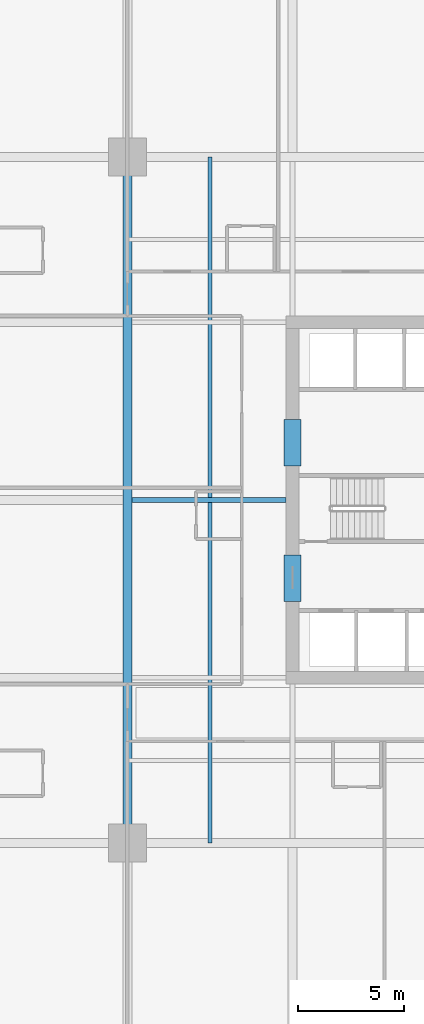
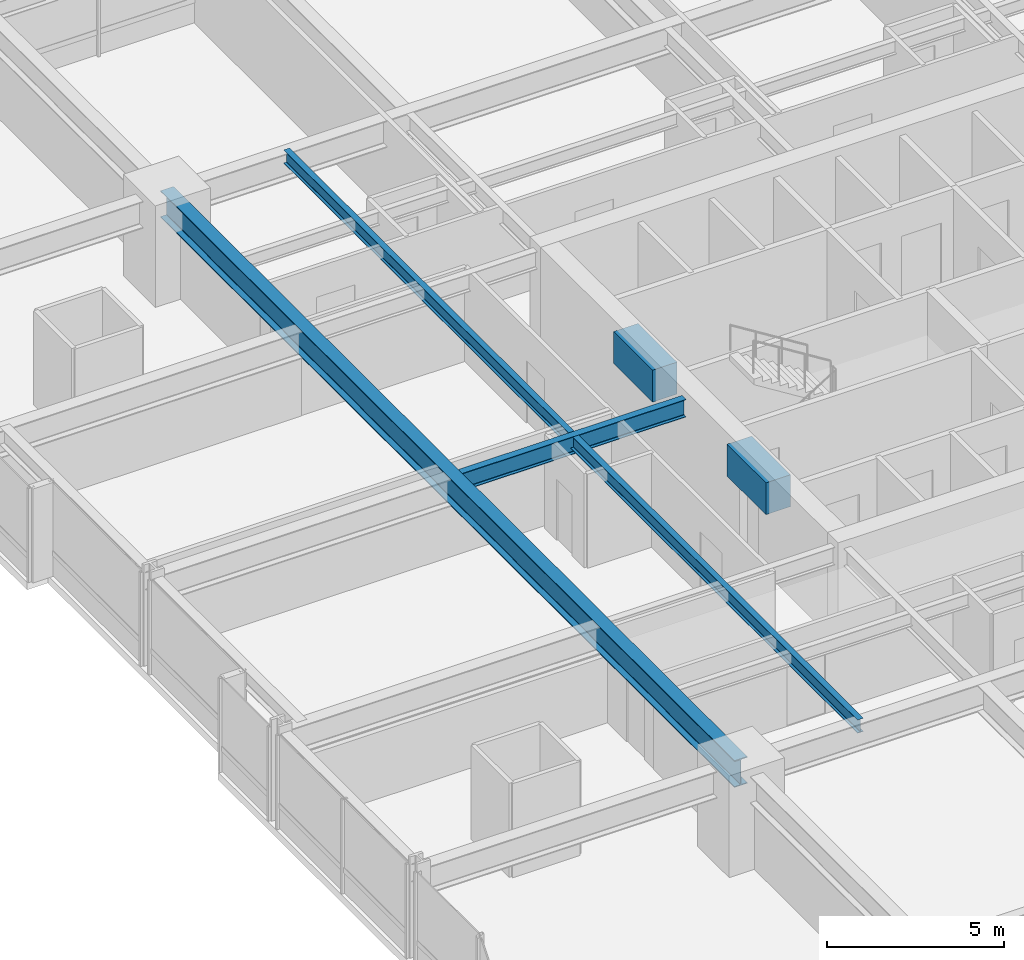
# One storey, part 10 of 38: 5 beams.
"""IFC4 building model written with IfcOpenShell, lengths in metres."""

from ifc_helpers import new_model, si_unit, direction, frame, origin, origin_2d, place, context, subcontext, project, spatial, rectangle, i_section, extrude, material, material_profile, profile_set, type_object, element, save


model = new_model("IFC4")

# Units and contexts
model_context = context("Model", 3, precision=1e-05, world=origin(), true_north=direction((0.0, 1.0)))
body_context = subcontext(model_context, "Body", "Model", "MODEL_VIEW")
ifc_project = project(units=[si_unit("LENGTHUNIT", "METRE"), si_unit("AREAUNIT", "SQUARE_METRE"), si_unit("VOLUMEUNIT", "CUBIC_METRE"), si_unit("PLANEANGLEUNIT", "RADIAN"), si_unit("MASSUNIT", "GRAM", prefix="KILO")], contexts=[model_context])

# Site, building, storey
site_placement = place(None, origin())
site = spatial("IfcSite", under=ifc_project, at=site_placement, CompositionType="ELEMENT")
building_placement = place(site_placement, origin())
building = spatial("IfcBuilding", under=site, at=building_placement, Name="Drelvath Grand Hotel", CompositionType="ELEMENT")
storey_placement = place(building_placement, frame((0.0, 0.0, 47.199951171875)))
storey = spatial("IfcBuildingStorey", under=building, at=storey_placement, Name="L10", CompositionType="ELEMENT", Elevation=47.199951171875)

# Beams
ifc_material_1 = material(Name="Steel ASTM A992 Gr 50", Category="steel")
ifc_material_profile_1 = material_profile(ifc_material_1, i_section(OverallWidth=0.19140625, OverallDepth=0.4599609375, WebThickness=0.010009765625, FlangeThickness=0.01611328125, FilletRadius=0.01611328125, at=origin_2d()), Name="W18X55")
ifc_profile_set_1 = profile_set([ifc_material_profile_1], Name="Steel ASTM A992 Gr 50")
beam_type_1 = type_object("IfcBeamType", Name="Composite Floor Joist W18X55", PredefinedType="JOIST", material=ifc_profile_set_1)
beam_1_placement = place(storey_placement, frame((-12.300048828125, 10.800048828125, 3.010009765625), z_axis=(0.0, 1.0, 0.0), x_axis=(-1.0, 0.0, 0.0)))
element("IfcBeam", 1, at=beam_1_placement, inside=storey, type_object=beam_type_1, Name="L10 Wing Floor Joist J3", PredefinedType="JOIST", context=body_context, shape_type="SweptSolid", body=[
    extrude(i_section(OverallWidth=0.19140625, OverallDepth=0.4599609375, WebThickness=0.010009765625, FlangeThickness=0.01611328125, FilletRadius=0.01611328125, at=origin_2d()), origin(), (0.0, 0.0, 1.0), 32.39990234375),
])
ifc_material_2 = material(Name="Concrete f'c 70 MPa", Category="concrete")
ifc_material_profile_2 = material_profile(ifc_material_2, rectangle(XDim=0.800048828125, YDim=1.10009765625, at=origin_2d()), Name="CB800X1100")
ifc_profile_set_2 = profile_set([ifc_material_profile_2], Name="Concrete f'c 70 MPa")
beam_type_2 = type_object("IfcBeamType", Name="Core Coupling Lintel CB800X1100", PredefinedType="LINTEL", material=ifc_profile_set_2)
for number, where, z_axis, x_axis, name in (
    (2, (-8.39990234375, 22.199951171875, 2.68994140625), (0.0, 1.0, 0.0), (-1.0, 0.0, 0.0), "L10 Core Coupling Lintel WS"),
    (3, (-8.39990234375, 28.60009765625, 2.68994140625), (0.0, 1.0, 0.0), (-1.0, 0.0, 0.0), "L10 Core Coupling Lintel WN"),
):
    element("IfcBeam", number, at=place(storey_placement, frame(where, z_axis=z_axis, x_axis=x_axis)), inside=storey, type_object=beam_type_2, Name=name, PredefinedType="LINTEL", context=body_context, shape_type="SweptSolid", body=[
        extrude(rectangle(XDim=0.800048828125, YDim=1.10009765625, at=origin_2d()), origin(), (0.0, 0.0, 1.0), 2.199951171875),
    ])
ifc_material_profile_3 = material_profile(ifc_material_1, i_section(OverallWidth=0.228271484375, OverallDepth=0.607666015625, WebThickness=0.01123046875, FlangeThickness=0.017333984375, FilletRadius=0.02001953125, at=origin_2d()), Name="W24X76")
ifc_profile_set_3 = profile_set([ifc_material_profile_3], Name="Steel ASTM A992 Gr 50")
beam_type_3 = type_object("IfcBeamType", Name="Primary Floor Girder W24X76", PredefinedType="BEAM", material=ifc_profile_set_3)
beam_2_placement = place(storey_placement, frame((-15.99072265625, 27.0, 2.936279296875), z_axis=(1.0, 0.0, 0.0), x_axis=(0.0, 1.0, 0.0)))
element("IfcBeam", 4, at=beam_2_placement, inside=storey, type_object=beam_type_3, Name="L10 West Core Tie E", PredefinedType="BEAM", context=body_context, shape_type="SweptSolid", body=[
    extrude(i_section(OverallWidth=0.228271484375, OverallDepth=0.607666015625, WebThickness=0.01123046875, FlangeThickness=0.017333984375, FilletRadius=0.02001953125, at=origin_2d()), origin(), (0.0, 0.0, 1.0), 7.290771484375),
])
ifc_material_profile_4 = material_profile(ifc_material_1, i_section(OverallWidth=0.418212890625, OverallDepth=0.926513671875, WebThickness=0.019287109375, FlangeThickness=0.031982421875, FilletRadius=0.028076171875, at=origin_2d()), Name="W36X231")
ifc_profile_set_4 = profile_set([ifc_material_profile_4], Name="Steel ASTM A992 Gr 50")
beam_type_4 = type_object("IfcBeamType", Name="Primary Floor Girder W36X231", PredefinedType="BEAM", material=ifc_profile_set_4)
beam_3_placement = place(storey_placement, frame((-16.199951171875, 10.800048828125, 2.77685546875), z_axis=(0.0, 1.0, 0.0), x_axis=(-1.0, 0.0, 0.0)))
element("IfcBeam", 5, at=beam_3_placement, inside=storey, type_object=beam_type_4, Name="L10 Mega Ring Girder West", PredefinedType="BEAM", context=body_context, shape_type="SweptSolid", body=[
    extrude(i_section(OverallWidth=0.418212890625, OverallDepth=0.926513671875, WebThickness=0.019287109375, FlangeThickness=0.031982421875, FilletRadius=0.028076171875, at=origin_2d()), origin(), (0.0, 0.0, 1.0), 32.39990234375),
])

save(model, "model.ifc")
